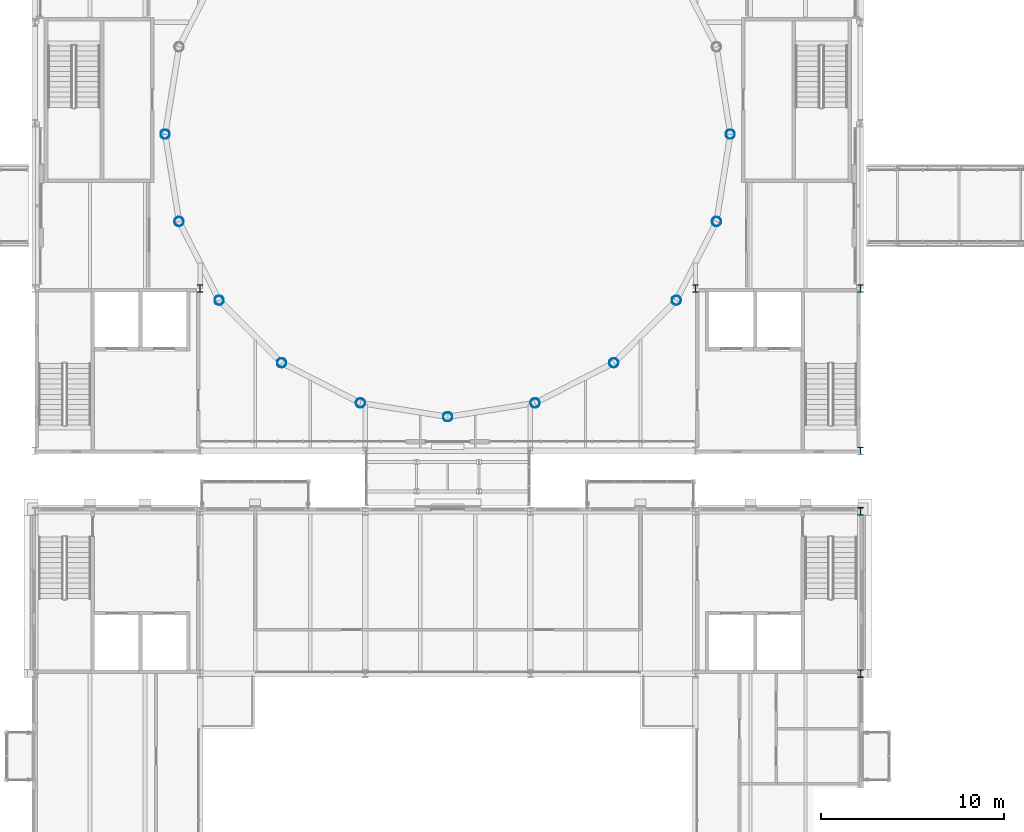
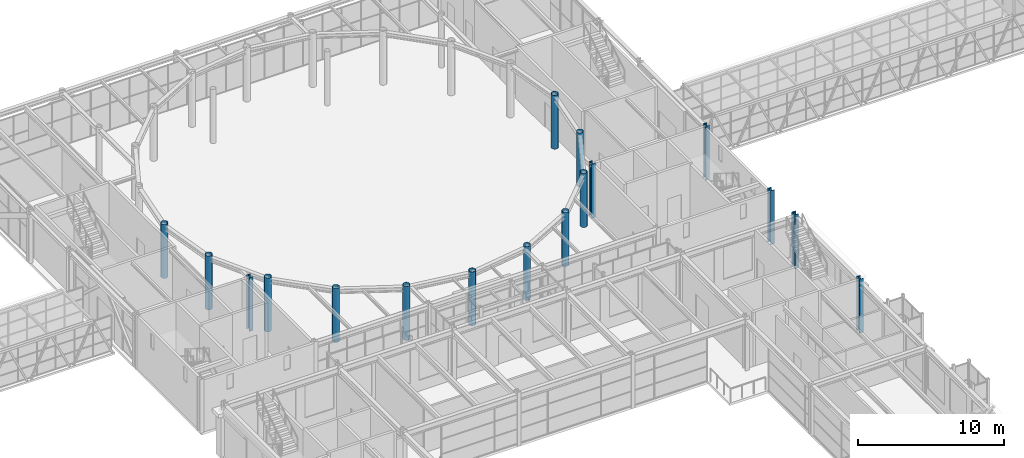
# One storey, part 11 of 149: 17 columns.
"""IFC4 building model written with IfcOpenShell, lengths in metres."""

from ifc_helpers import new_model, si_unit, direction, frame, origin, origin_2d, place, context, subcontext, project, spatial, hollow_circle, i_section, extrude, material, material_profile, profile_set, type_object, element, save


model = new_model("IFC4")

# Units and contexts
model_context = context("Model", 3, precision=1e-05, world=origin(), true_north=direction((0.0, 1.0)))
body_context = subcontext(model_context, "Body", "Model", "MODEL_VIEW")
ifc_project = project(units=[si_unit("LENGTHUNIT", "METRE"), si_unit("AREAUNIT", "SQUARE_METRE"), si_unit("VOLUMEUNIT", "CUBIC_METRE"), si_unit("PLANEANGLEUNIT", "RADIAN"), si_unit("MASSUNIT", "GRAM", prefix="KILO")], contexts=[model_context])

# Site, building, storey
site_placement = place(None, origin())
site = spatial("IfcSite", under=ifc_project, at=site_placement, CompositionType="ELEMENT")
building_placement = place(site_placement, origin())
building = spatial("IfcBuilding", under=site, at=building_placement, Name="Kallimachos Central Library", CompositionType="ELEMENT")
storey_placement = place(building_placement, frame((0.0, 0.0, 9.89990234375)))
storey = spatial("IfcBuildingStorey", under=building, at=storey_placement, Name="L02", CompositionType="ELEMENT", Elevation=9.89990234375)

# Columns
ifc_material_1 = material(Name="Steel S355J2H", Category="steel")
ifc_material_profile_1 = material_profile(ifc_material_1, hollow_circle(Radius=0.25390625, WallThickness=0.01611328125, at=origin_2d()), Name="CHS 508x16")
ifc_profile_set_1 = profile_set([ifc_material_profile_1], Name="Steel S355J2H")
column_type_1 = type_object("IfcColumnType", Name="CHS 508x16 column", PredefinedType="COLUMN", material=ifc_profile_set_1)
for number, where, z_axis, x_axis, name in (
    (1, (103.39990234375, 104.39990234375, 0.0), (0.0, 0.0, 1.0), (1.0, 0.0, 0.0), "V1-COL-L02-015"),
    (2, (72.60009765625, 104.39990234375, 0.0), (0.0, 0.0, 1.0), (1.0, 0.0, 0.0), "V1-COL-L02-025"),
    (3, (73.353759765625, 99.64111328125, 0.0), (0.0, 0.0, 1.0), (1.0, 0.0, 0.0), "V1-COL-L02-026"),
    (4, (75.541015625, 95.34814453125, 0.0), (0.0, 0.0, 1.0), (1.0, 0.0, 0.0), "V1-COL-L02-027"),
    (5, (78.947998046875, 91.941162109375, 0.0), (0.0, 0.0, 1.0), (1.0, 0.0, 0.0), "V1-COL-L02-028"),
    (6, (83.2412109375, 89.753662109375, 0.0), (0.0, 0.0, 1.0), (1.0, 0.0, 0.0), "V1-COL-L02-029"),
    (7, (88.0, 89.0, 0.0), (0.0, 0.0, 1.0), (1.0, 0.0, 0.0), "V1-COL-L02-030"),
    (8, (92.7587890625, 89.753662109375, 0.0), (0.0, 0.0, 1.0), (1.0, 0.0, 0.0), "V1-COL-L02-031"),
    (9, (97.052001953125, 91.941162109375, 0.0), (0.0, 0.0, 1.0), (1.0, 0.0, 0.0), "V1-COL-L02-032"),
    (10, (100.458984375, 95.34814453125, 0.0), (0.0, 0.0, 1.0), (1.0, 0.0, 0.0), "V1-COL-L02-033"),
    (11, (102.646240234375, 99.64111328125, 0.0), (0.0, 0.0, 1.0), (1.0, 0.0, 0.0), "V1-COL-L02-034"),
):
    element("IfcColumn", number, at=place(storey_placement, frame(where, z_axis=z_axis, x_axis=x_axis)), inside=storey, type_object=column_type_1, Name=name, PredefinedType="COLUMN", context=body_context, shape_type="SweptSolid", body=[
        extrude(hollow_circle(Radius=0.25390625, WallThickness=0.01611328125, at=origin_2d()), origin(), (0.0, 0.0, 1.0), 4.5),
    ])
ifc_material_2 = material(Name="Steel S355J2", Category="steel")
ifc_material_profile_2 = material_profile(ifc_material_2, i_section(OverallWidth=0.300048828125, OverallDepth=0.39990234375, WebThickness=0.013427734375, FlangeThickness=0.02392578125, FilletRadius=0.027099609375, at=origin_2d()), Name="HEB 400")
ifc_profile_set_2 = profile_set([ifc_material_profile_2], Name="Steel S355J2")
column_type_2 = type_object("IfcColumnType", Name="HEB 400 column", PredefinedType="COLUMN", material=ifc_profile_set_2)
for number, where, z_axis, x_axis, name in (
    (12, (110.5, 87.14990234375, 0.0), (0.0, 0.0, 1.0), (1.0, 0.0, 0.0), "V1-COL-L02-006"),
    (13, (74.5, 96.0, 0.0), (0.0, 0.0, 1.0), (1.0, 0.0, 0.0), "V1-COL-L02-008"),
    (14, (101.5, 96.0, 0.0), (0.0, 0.0, 1.0), (1.0, 0.0, 0.0), "V1-COL-L02-009"),
    (15, (110.5, 96.0, 0.0), (0.0, 0.0, 1.0), (1.0, 0.0, 0.0), "V1-COL-L02-010"),
):
    element("IfcColumn", number, at=place(storey_placement, frame(where, z_axis=z_axis, x_axis=x_axis)), inside=storey, type_object=column_type_2, Name=name, PredefinedType="COLUMN", context=body_context, shape_type="SweptSolid", body=[
        extrude(i_section(OverallWidth=0.300048828125, OverallDepth=0.39990234375, WebThickness=0.013427734375, FlangeThickness=0.02392578125, FilletRadius=0.027099609375, at=origin_2d()), origin(), (0.0, 0.0, 1.0), 4.5),
    ])
ifc_material_3 = material(Name="Steel S355J2", Category="steel")
ifc_material_profile_3 = material_profile(ifc_material_3, i_section(OverallWidth=0.306884765625, OverallDepth=0.431884765625, WebThickness=0.02099609375, FlangeThickness=0.0400390625, FilletRadius=0.027099609375, at=origin_2d()), Name="HEM 400")
ifc_profile_set_3 = profile_set([ifc_material_profile_3], Name="Steel S355J2")
column_type_3 = type_object("IfcColumnType", Name="HEM 400 column", PredefinedType="COLUMN", material=ifc_profile_set_3)
for number, where, z_axis, x_axis, name in (
    (16, (110.5, 75.0, 0.0), (0.0, 0.0, 1.0), (1.0, 0.0, 0.0), "V4-COL-L02-010"),
    (17, (110.5, 83.85009765625, 0.0), (0.0, 0.0, 1.0), (1.0, 0.0, 0.0), "V4-COL-L02-016"),
):
    element("IfcColumn", number, at=place(storey_placement, frame(where, z_axis=z_axis, x_axis=x_axis)), inside=storey, type_object=column_type_3, Name=name, PredefinedType="COLUMN", context=body_context, shape_type="SweptSolid", body=[
        extrude(i_section(OverallWidth=0.306884765625, OverallDepth=0.431884765625, WebThickness=0.02099609375, FlangeThickness=0.0400390625, FilletRadius=0.027099609375, at=origin_2d()), origin(), (0.0, 0.0, 1.0), 4.5),
    ])

save(model, "model.ifc")
